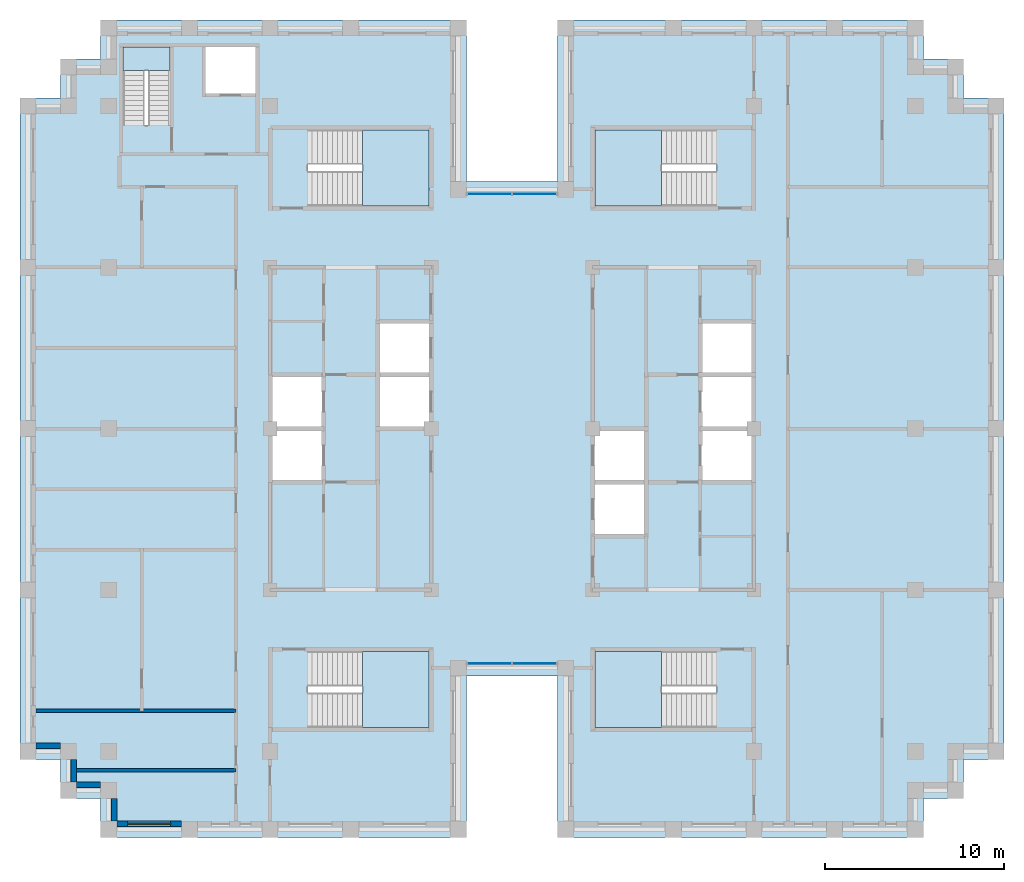
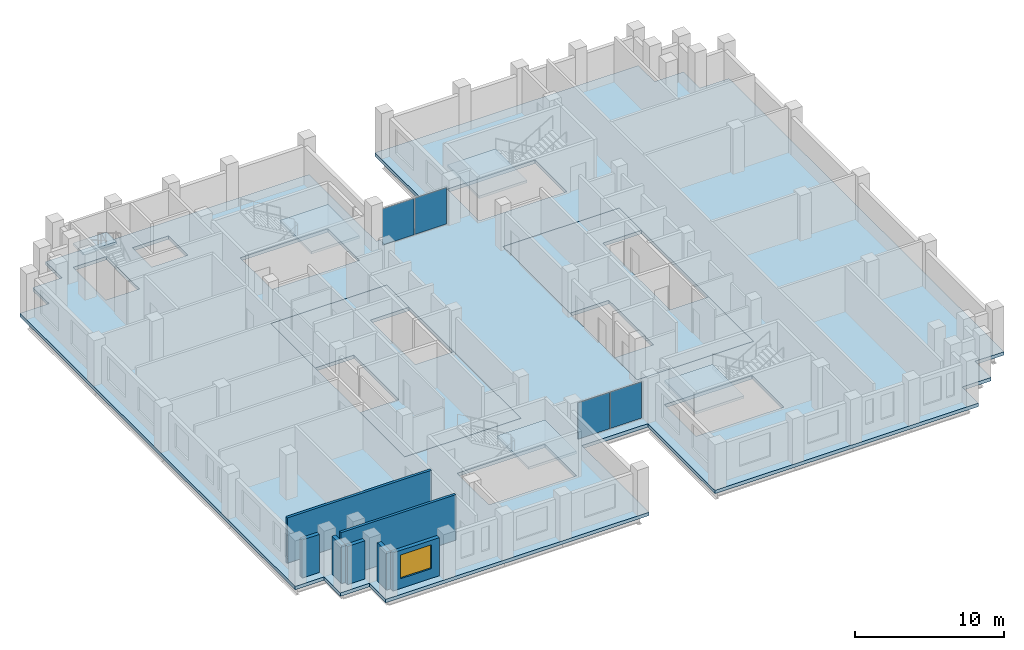
# One storey, part 5 of 13: 8 slabs, 7 walls, 4 plates, 1 window, 1 opening, 7 elements without a shape of their own.
"""IFC4 building model written with IfcOpenShell, lengths in metres."""

import ifcopenshell
import ifcopenshell.guid

model = None  # the IFC model being written
_history = None  # IfcOwnerHistory: only IFC2X3 demands one
_inside = {}  # id of a spatial element -> (the spatial element, [elements in it])
_under = {}  # id of a project, library or spatial element -> (it, [spatial elements below it])
_declared = {}  # id of a project -> (the project, [libraries it declares])
_typed = {}  # id of a type object -> (the type object, [elements of that type])
_made_of = {}  # id of a material, layer set ... -> (it, [elements and type objects made of it])


def new_model(schema):
    """Start an empty IFC model of exactly this schema.

    Asked for "IFC4X3", IfcOpenShell would pick the latest addendum, in which some entities
    have other attributes; the version numbers below select the first issue.
    IFC2X3 requires an IfcOwnerHistory on every rooted entity: one is made here for all.
    """
    global model, _history
    if schema == "IFC4X3":
        model = ifcopenshell.file(schema_version=(4, 3, 0, 0))
    else:
        model = ifcopenshell.file(schema=schema)
    _inside.clear()
    _under.clear()
    _declared.clear()
    _typed.clear()
    _made_of.clear()
    _history = None
    if model.schema == "IFC2X3":
        org = make("IfcOrganization", Name="unknown")
        user = make(
            "IfcPersonAndOrganization",
            ThePerson=make("IfcPerson", FamilyName="unknown"),
            TheOrganization=org,
        )
        app = make(
            "IfcApplication",
            ApplicationDeveloper=org,
            Version="unknown",
            ApplicationFullName="unknown",
            ApplicationIdentifier="unknown",
        )
        _history = make(
            "IfcOwnerHistory",
            OwningUser=user,
            OwningApplication=app,
            ChangeAction="ADDED",
            CreationDate=0,
        )
    return model


def make(cls, **values):
    """One entity of the class cls with the attributes given. An attribute that is None is left unset."""
    return model.create_entity(
        cls, **{name: value for name, value in values.items() if value is not None}
    )


def rooted(cls, **values):
    """An entity with a GlobalId (a new one), such as an element, a storey or a relation."""
    return make(cls, GlobalId=ifcopenshell.guid.new(), OwnerHistory=_history, **values)


def si_unit(unit_type, name, prefix=None):
    """IfcSIUnit, for example si_unit("LENGTHUNIT", "METRE", prefix="MILLI")."""
    return make("IfcSIUnit", UnitType=unit_type, Prefix=prefix, Name=name)


def assignment(units):
    """IfcUnitAssignment: the units of a project."""
    return None if units is None else make("IfcUnitAssignment", Units=units)


def point(xyz):
    """IfcCartesianPoint."""
    return None if xyz is None else make("IfcCartesianPoint", Coordinates=xyz)


def direction(xyz):
    """IfcDirection."""
    return None if xyz is None else make("IfcDirection", DirectionRatios=xyz)


def frame(location, z_axis=None, x_axis=None):
    """IfcAxis2Placement3D, a coordinate frame: its origin and axes. An axis left out is left unset."""
    return make(
        "IfcAxis2Placement3D",
        Location=point(location),
        Axis=direction(z_axis),
        RefDirection=direction(x_axis),
    )


def frame_2d(location, x_axis=None):
    """IfcAxis2Placement2D, a coordinate frame in the plane: its origin and x axis."""
    return make(
        "IfcAxis2Placement2D", Location=point(location), RefDirection=direction(x_axis)
    )


def origin():
    """The frame at (0, 0, 0) with its axes left unset."""
    return frame((0.0, 0.0, 0.0))


def origin_2d():
    """The frame at (0, 0) in the plane with its x axis left unset."""
    return frame_2d((0.0, 0.0))


def place(relative_to, where):
    """IfcLocalPlacement: puts the frame where relative to a parent placement (None: the world)."""
    return make(
        "IfcLocalPlacement", PlacementRelTo=relative_to, RelativePlacement=where
    )


def context(
    kind, dimensions, precision=None, world=None, true_north=None, identifier=None
):
    """IfcGeometricRepresentationContext, for example the 3D "Model" context."""
    return make(
        "IfcGeometricRepresentationContext",
        ContextIdentifier=identifier,
        ContextType=kind,
        CoordinateSpaceDimension=dimensions,
        Precision=precision,
        WorldCoordinateSystem=world,
        TrueNorth=true_north,
    )


def subcontext(parent, identifier, kind, view, scale=None):
    """IfcGeometricRepresentationSubContext, for example "Body" below "Model"."""
    return make(
        "IfcGeometricRepresentationSubContext",
        ContextIdentifier=identifier,
        ContextType=kind,
        ParentContext=parent,
        TargetScale=scale,
        TargetView=view,
    )


def project(units=None, contexts=None):
    """IfcProject with its units and contexts."""
    return rooted(
        "IfcProject",
        Name="project",
        RepresentationContexts=contexts,
        UnitsInContext=assignment(units),
    )


def spatial(cls, under=None, at=None, **own):
    """A site, building, storey or space (cls), placed at a placement, below another one or the project."""
    s = rooted(cls, ObjectPlacement=at, **own)
    if under is not None:
        _under.setdefault(under.id(), (under, []))[1].append(s)
    return s


def polyline(points):
    """IfcPolyline through the points."""
    return make("IfcPolyline", Points=[point(p) for p in points])


def profile(cls, at=None, kind="AREA", **sizes):
    """A parametric profile (cls). Its sizes go by their IFC names, for example OverallWidth=200.0."""
    return make(cls, ProfileType=kind, Position=at, **sizes)


def rectangle(**sizes):
    """IfcRectangleProfileDef."""
    return profile("IfcRectangleProfileDef", **sizes)


def outline(outer, holes=None, kind="AREA"):
    """IfcArbitraryClosedProfileDef: a profile drawn as a closed curve; with holes, ...WithVoids."""
    if holes is None:
        return make("IfcArbitraryClosedProfileDef", ProfileType=kind, OuterCurve=outer)
    return make(
        "IfcArbitraryProfileDefWithVoids",
        ProfileType=kind,
        OuterCurve=outer,
        InnerCurves=holes,
    )


def extrude(swept, where, along, depth):
    """IfcExtrudedAreaSolid: the profile swept, set in the frame where, extruded along a direction by depth."""
    return make(
        "IfcExtrudedAreaSolid",
        SweptArea=swept,
        Position=where,
        ExtrudedDirection=direction(along),
        Depth=depth,
    )


def shape(context_of_items, identifier, shape_type, items):
    """IfcShapeRepresentation: the items that make up one representation, for example the "Body"."""
    return make(
        "IfcShapeRepresentation",
        ContextOfItems=context_of_items,
        RepresentationIdentifier=identifier,
        RepresentationType=shape_type,
        Items=items,
    )


def material(Name=None, Category=None):
    """IfcMaterial."""
    return make("IfcMaterial", Name=Name, Category=Category)


def layer(
    of_material, thickness, ventilated=None, Name=None, Category=None, Priority=None
):
    """IfcMaterialLayer: one layer of a wall or slab, of a material (None: an air gap)."""
    return make(
        "IfcMaterialLayer",
        Material=of_material,
        LayerThickness=thickness,
        IsVentilated=ventilated,
        Name=Name,
        Category=Category,
        Priority=Priority,
    )


def layer_set(layers, Name=None):
    """IfcMaterialLayerSet."""
    return make("IfcMaterialLayerSet", MaterialLayers=layers, LayerSetName=Name)


def made_of(thing, what):
    """Note that an element or type object is made of a material, layer set ...; save() writes the relation."""
    if what is not None:
        _made_of.setdefault(what.id(), (what, []))[1].append(thing)
    return thing


def type_object(cls, material=None, **own):
    """A type object (cls), such as IfcWallType, which elements share."""
    return made_of(rooted(cls, **own), material)


def element(
    cls,
    number,
    at=None,
    inside=None,
    cuts=None,
    type_object=None,
    material=None,
    context=None,
    identifier="Body",
    shape_type=None,
    held_by="IfcProductDefinitionShape",
    body=None,
    shapes=None,
    **own,
):
    """One element of the class cls, such as IfcWall. Its Tag is "e" and its number.

    at: its placement. inside: the storey or other place that contains it. cuts: it is an
    opening in that element (IfcRelVoidsElement). A single representation is given by context,
    identifier, shape_type and body (its items); several are given by shapes. held_by: the class
    of the entity that holds the representations. save() writes the other relations.
    """
    e = rooted(cls, Tag="e%d" % number, ObjectPlacement=at, **own)
    if body is not None:
        shapes = [shape(context, identifier, shape_type, body)]
    if shapes is not None:
        e.Representation = make(held_by, Representations=shapes)
    if inside is not None:
        _inside.setdefault(inside.id(), (inside, []))[1].append(e)
    if cuts is not None:
        rooted(
            "IfcRelVoidsElement", RelatingBuildingElement=cuts, RelatedOpeningElement=e
        )
    if type_object is not None:
        _typed.setdefault(type_object.id(), (type_object, []))[1].append(e)
    return made_of(e, material)


def fill(opening, filler):
    """IfcRelFillsElement: the door or window that sits in an opening."""
    return rooted(
        "IfcRelFillsElement",
        RelatingOpeningElement=opening,
        RelatedBuildingElement=filler,
    )


def aggregate(whole, parts):
    """IfcRelAggregates: a whole, such as a stair, and the parts it consists of."""
    return rooted("IfcRelAggregates", RelatingObject=whole, RelatedObjects=parts)


def save(model, path):
    """Write the relations noted so far, then the file.

    IfcRelAggregates (storeys below a building ...), IfcRelContainedInSpatialStructure (elements
    in a storey), IfcRelDefinesByType, IfcRelAssociatesMaterial and IfcRelDeclares: one each for
    every whole, place, type object, material and project.
    """
    for whole, parts in _under.values():
        aggregate(whole, parts)
    for where, things in _inside.values():
        rooted(
            "IfcRelContainedInSpatialStructure",
            RelatedElements=things,
            RelatingStructure=where,
        )
    for kind, things in _typed.values():
        rooted("IfcRelDefinesByType", RelatedObjects=things, RelatingType=kind)
    for what, things in _made_of.values():
        rooted("IfcRelAssociatesMaterial", RelatedObjects=things, RelatingMaterial=what)
    for by, libraries in _declared.values():
        rooted("IfcRelDeclares", RelatingContext=by, RelatedDefinitions=libraries)
    model.write(path)


model = new_model("IFC4")

# Units and contexts
model_context = context("Model", 3, precision=1e-05, world=origin(), true_north=direction((0.0, 1.0)))
body_context = subcontext(model_context, "Body", "Model", "MODEL_VIEW")
ifc_project = project(units=[si_unit("LENGTHUNIT", "METRE"), si_unit("AREAUNIT", "SQUARE_METRE"), si_unit("VOLUMEUNIT", "CUBIC_METRE"), si_unit("PLANEANGLEUNIT", "RADIAN"), si_unit("MASSUNIT", "GRAM", prefix="KILO")], contexts=[model_context])

# Site, building, storey
site_placement = place(None, origin())
site = spatial("IfcSite", under=ifc_project, at=site_placement, CompositionType="ELEMENT")
building_placement = place(site_placement, origin())
building = spatial("IfcBuilding", under=site, at=building_placement, Name="Corbelhall Arena Tower", CompositionType="ELEMENT")
storey_placement = place(building_placement, frame((0.0, 0.0, 282.0)))
storey = spatial("IfcBuildingStorey", under=building, at=storey_placement, Name="L61", CompositionType="ELEMENT", Elevation=282.0)

# Curtain wall, plates
ifc_material_1 = material(Name="Aluminium black anodised", Category="aluminium")
ifc_layer_1 = layer(ifc_material_1, 0.199951171875)
ifc_layer_set_1 = layer_set([ifc_layer_1], Name="EV-CW1 Slot back wall")
curtain_wall_type = type_object("IfcCurtainWallType", Name="EV-CW1 Slot back wall", PredefinedType="NOTDEFINED", material=ifc_layer_set_1)
curtain_wall_1_placement = place(storey_placement, origin())
curtain_wall_1 = element("IfcCurtainWall", 1, at=curtain_wall_1_placement, inside=storey, type_object=curtain_wall_type, Name="Curtain wall CW1", PredefinedType="NOTDEFINED")
ifc_material_2 = material(Name="Glass dark tinted laminated", Category="glass")
ifc_layer_2 = layer(ifc_material_2, 0.028076171875)
ifc_layer_set_2 = layer_set([ifc_layer_2], Name="EV-CW1-PANEL")
plate_type = type_object("IfcPlateType", Name="EV-CW1-PANEL", PredefinedType="CURTAIN_PANEL", material=ifc_layer_set_2)
plate_1_placement = place(storey_placement, frame((-1.25634765625, -13.10009765625, 0.0751953125), z_axis=(0.0, 0.0, 1.0), x_axis=(1.0, 0.0, 0.0)))
plate_1 = element("IfcPlate", 2, at=plate_1_placement, type_object=plate_type, Name="CW1 panel 1.1", PredefinedType="CURTAIN_PANEL", context=body_context, shape_type="SweptSolid", body=[
    extrude(rectangle(XDim=2.4375, YDim=0.028076171875, at=origin_2d()), origin(), (0.0, 0.0, 1.0), 2.969970703125),
])
plate_2_placement = place(storey_placement, frame((1.25634765625, -13.10009765625, 0.0751953125), z_axis=(0.0, 0.0, 1.0), x_axis=(1.0, 0.0, 0.0)))
plate_2 = element("IfcPlate", 3, at=plate_2_placement, type_object=plate_type, Name="CW1 panel 2.1", PredefinedType="CURTAIN_PANEL", context=body_context, shape_type="SweptSolid", body=[
    extrude(rectangle(XDim=2.4375, YDim=0.028076171875, at=origin_2d()), origin(), (0.0, 0.0, 1.0), 2.969970703125),
])
aggregate(curtain_wall_1, [plate_1, plate_2])

curtain_wall_2_placement = place(storey_placement, origin())
curtain_wall_2 = element("IfcCurtainWall", 4, at=curtain_wall_2_placement, inside=storey, type_object=curtain_wall_type, Name="Curtain wall CW1", PredefinedType="NOTDEFINED")
plate_3_placement = place(storey_placement, frame((1.25634765625, 13.10009765625, 0.0751953125), z_axis=(0.0, 0.0, 1.0), x_axis=(-1.0, 0.0, 0.0)))
plate_3 = element("IfcPlate", 5, at=plate_3_placement, type_object=plate_type, Name="CW1 panel 1.1", PredefinedType="CURTAIN_PANEL", context=body_context, shape_type="SweptSolid", body=[
    extrude(rectangle(XDim=2.4375, YDim=0.028076171875, at=origin_2d()), origin(), (0.0, 0.0, 1.0), 2.969970703125),
])
plate_4_placement = place(storey_placement, frame((-1.25634765625, 13.10009765625, 0.0751953125), z_axis=(0.0, 0.0, 1.0), x_axis=(-1.0, 0.0, 0.0)))
plate_4 = element("IfcPlate", 6, at=plate_4_placement, type_object=plate_type, Name="CW1 panel 2.1", PredefinedType="CURTAIN_PANEL", context=body_context, shape_type="SweptSolid", body=[
    extrude(rectangle(XDim=2.4375, YDim=0.028076171875, at=origin_2d()), origin(), (0.0, 0.0, 1.0), 2.969970703125),
])
aggregate(curtain_wall_2, [plate_3, plate_4])

# Slabs
ifc_material_3 = material(Name="Concrete C40/50", Category="concrete")
ifc_layer_3 = layer(ifc_material_3, 0.300048828125)
ifc_layer_set_3 = layer_set([ifc_layer_3], Name="IN-SL-CORE")
slab_type_1 = type_object("IfcSlabType", Name="IN-SL-CORE", PredefinedType="FLOOR", material=ifc_layer_set_3)
slab_1_placement = place(storey_placement, frame((0.0, 0.0, -0.280029296875)))
element("IfcSlab", 7, at=slab_1_placement, inside=storey, type_object=slab_type_1, Name="Core floor W", PredefinedType="FLOOR", context=body_context, shape_type="SweptSolid", body=[
    extrude(outline(polyline([(-10.5, -3.0), (-13.5, -3.0), (-13.5, -9.0), (-4.5, -9.0), (-4.5, 0.0), (-7.5, 0.0), (-7.5, 3.0), (-7.5, 6.0), (-4.5, 6.0), (-4.5, 9.0), (-13.5, 9.0), (-13.5, 3.0), (-10.5, 3.0), (-10.5, 0.0), (-10.5, -3.0)])), origin(), (0.0, 0.0, 1.0), 0.280029296875),
])
slab_2_placement = place(storey_placement, frame((0.0, 0.0, -0.280029296875)))
element("IfcSlab", 8, at=slab_2_placement, inside=storey, type_object=slab_type_1, Name="Core floor E", PredefinedType="FLOOR", context=body_context, shape_type="SweptSolid", body=[
    extrude(outline(polyline([(13.5, -3.0), (10.5, -3.0), (10.5, 0.0), (10.5, 3.0), (10.5, 6.0), (13.5, 6.0), (13.5, 9.0), (4.5, 9.0), (4.5, 0.0), (7.5, 0.0), (7.5, -3.0), (7.5, -6.0), (4.5, -6.0), (4.5, -9.0), (13.5, -9.0), (13.5, -3.0)])), origin(), (0.0, 0.0, 1.0), 0.280029296875),
])

# Stair, slab
stair_type = type_object("IfcStairType", Name="IN-ST-TOWER", PredefinedType="HALF_TURN_STAIR", material=ifc_material_3)
stair_1_placement = place(storey_placement, origin())
stair_1 = element("IfcStair", 9, at=stair_1_placement, inside=storey, type_object=stair_type, Name="L61 Exit stair ST1", PredefinedType="HALF_TURN_STAIR")
ifc_layer_4 = layer(ifc_material_3, 0.199951171875)
ifc_layer_set_4 = layer_set([ifc_layer_4], Name="IN-SL-LANDING")
slab_type_2 = type_object("IfcSlabType", Name="IN-SL-LANDING", PredefinedType="LANDING", material=ifc_layer_set_4)
slab_3_placement = place(storey_placement, frame((0.0, 0.0, 1.800048828125)))
slab_3 = element("IfcSlab", 10, at=slab_3_placement, type_object=slab_type_2, Name="ST1 landing 1", PredefinedType="LANDING", context=body_context, shape_type="SweptSolid", body=[
    extrude(outline(polyline([(-8.344970703125, 12.425048828125), (-4.625, 12.425048828125), (-4.625, 16.675048828125), (-8.344970703125, 16.675048828125), (-8.344970703125, 12.425048828125)])), origin(), (0.0, 0.0, 1.0), 0.199951171875),
])
aggregate(stair_1, [slab_3])

stair_2_placement = place(storey_placement, origin())
stair_2 = element("IfcStair", 11, at=stair_2_placement, inside=storey, type_object=stair_type, Name="L61 Exit stair ST2", PredefinedType="HALF_TURN_STAIR")
slab_4_placement = place(storey_placement, frame((0.0, 0.0, 1.800048828125)))
slab_4 = element("IfcSlab", 12, at=slab_4_placement, type_object=slab_type_2, Name="ST2 landing 1", PredefinedType="LANDING", context=body_context, shape_type="SweptSolid", body=[
    extrude(outline(polyline([(-8.344970703125, -16.675048828125), (-4.625, -16.675048828125), (-4.625, -12.425048828125), (-8.344970703125, -12.425048828125), (-8.344970703125, -16.675048828125)])), origin(), (0.0, 0.0, 1.0), 0.199951171875),
])
aggregate(stair_2, [slab_4])

stair_3_placement = place(storey_placement, origin())
stair_3 = element("IfcStair", 13, at=stair_3_placement, inside=storey, type_object=stair_type, Name="L61 Exit stair ST3", PredefinedType="HALF_TURN_STAIR")
slab_5_placement = place(storey_placement, frame((0.0, 0.0, 1.800048828125)))
slab_5 = element("IfcSlab", 14, at=slab_5_placement, type_object=slab_type_2, Name="ST3 landing 1", PredefinedType="LANDING", context=body_context, shape_type="SweptSolid", body=[
    extrude(outline(polyline([(8.344970703125, 16.675048828125), (4.625, 16.675048828125), (4.625, 12.425048828125), (8.344970703125, 12.425048828125), (8.344970703125, 16.675048828125)])), origin(), (0.0, 0.0, 1.0), 0.199951171875),
])
aggregate(stair_3, [slab_5])

stair_4_placement = place(storey_placement, origin())
stair_4 = element("IfcStair", 15, at=stair_4_placement, inside=storey, type_object=stair_type, Name="L61 Exit stair ST4", PredefinedType="HALF_TURN_STAIR")
slab_6_placement = place(storey_placement, frame((0.0, 0.0, 1.800048828125)))
slab_6 = element("IfcSlab", 16, at=slab_6_placement, type_object=slab_type_2, Name="ST4 landing 1", PredefinedType="LANDING", context=body_context, shape_type="SweptSolid", body=[
    extrude(outline(polyline([(8.344970703125, -12.425048828125), (4.625, -12.425048828125), (4.625, -16.675048828125), (8.344970703125, -16.675048828125), (8.344970703125, -12.425048828125)])), origin(), (0.0, 0.0, 1.0), 0.199951171875),
])
aggregate(stair_4, [slab_6])

stair_5_placement = place(storey_placement, origin())
stair_5 = element("IfcStair", 17, at=stair_5_placement, inside=storey, type_object=stair_type, Name="L61 Exit stair ST5", PredefinedType="HALF_TURN_STAIR")
slab_7_placement = place(storey_placement, frame((0.0, 0.0, 1.800048828125)))
slab_7 = element("IfcSlab", 18, at=slab_7_placement, type_object=slab_type_2, Name="ST5 landing 1", PredefinedType="LANDING", context=body_context, shape_type="SweptSolid", body=[
    extrude(outline(polyline([(-19.094970703125, 19.97998046875), (-19.094970703125, 21.300048828125), (-21.695068359375, 21.300048828125), (-21.695068359375, 19.97998046875), (-19.094970703125, 19.97998046875)])), origin(), (0.0, 0.0, 1.0), 0.199951171875),
])
aggregate(stair_5, [slab_7])

# Slab
ifc_layer_5 = layer(ifc_material_3, 0.280029296875)
ifc_layer_set_5 = layer_set([ifc_layer_5], Name="ST-SLAB-FLOOR-280")
slab_type_3 = type_object("IfcSlabType", Name="ST-SLAB-FLOOR-280", PredefinedType="FLOOR", material=ifc_layer_set_5)
slab_8_placement = place(storey_placement, frame((0.0, 0.0, -0.280029296875)))
element("IfcSlab", 19, at=slab_8_placement, inside=storey, type_object=slab_type_3, Name="Floor slab L61 1", PredefinedType="FLOOR", context=body_context, shape_type="SweptSolid", body=[
    extrude(outline(polyline([(22.949951171875, 22.800048828125), (2.550048828125, 22.800048828125), (2.550048828125, 13.800048828125), (-2.550048828125, 13.800048828125), (-2.550048828125, 22.800048828125), (-22.949951171875, 22.800048828125), (-22.949951171875, 20.625), (-25.199951171875, 20.625), (-25.199951171875, 18.449951171875), (-27.449951171875, 18.449951171875), (-27.449951171875, -18.449951171875), (-25.199951171875, -18.449951171875), (-25.199951171875, -20.625), (-22.949951171875, -20.625), (-22.949951171875, -22.800048828125), (-2.550048828125, -22.800048828125), (-2.550048828125, -13.800048828125), (2.550048828125, -13.800048828125), (2.550048828125, -22.800048828125), (22.949951171875, -22.800048828125), (22.949951171875, -20.625), (25.199951171875, -20.625), (25.199951171875, -18.449951171875), (27.449951171875, -18.449951171875), (27.449951171875, 18.449951171875), (25.199951171875, 18.449951171875), (25.199951171875, 20.625), (22.949951171875, 20.625), (22.949951171875, 22.800048828125)]), holes=[polyline([(-13.5, 9.0), (-13.5, -9.0), (-4.5, -9.0), (-4.5, 9.0), (-13.5, 9.0)]), polyline([(4.5, 9.0), (4.5, -9.0), (13.5, -9.0), (13.5, 9.0), (4.5, 9.0)]), polyline([(-4.625, 16.675048828125), (-11.422119140625, 16.675048828125), (-11.422119140625, 12.425048828125), (-4.625, 12.425048828125), (-4.625, 16.675048828125)]), polyline([(-4.625, -16.675048828125), (-4.625, -12.425048828125), (-11.422119140625, -12.425048828125), (-11.422119140625, -16.675048828125), (-4.625, -16.675048828125)]), polyline([(11.422119140625, 16.675048828125), (4.625, 16.675048828125), (4.625, 12.425048828125), (11.422119140625, 12.425048828125), (11.422119140625, 16.675048828125)]), polyline([(11.422119140625, -16.675048828125), (11.422119140625, -12.425048828125), (4.625, -12.425048828125), (4.625, -16.675048828125), (11.422119140625, -16.675048828125)]), polyline([(-21.695068359375, 21.300048828125), (-21.695068359375, 16.903076171875), (-19.094970703125, 16.903076171875), (-19.094970703125, 21.300048828125), (-21.695068359375, 21.300048828125)]), polyline([(-14.300048828125, 21.300048828125), (-17.10009765625, 21.300048828125), (-17.10009765625, 18.699951171875), (-14.300048828125, 18.699951171875), (-14.300048828125, 21.300048828125)])]), origin(), (0.0, 0.0, 1.0), 0.280029296875),
])

# Walls
ifc_material_4 = material(Name="Precast concrete C40/50 with granite facing", Category="masonry")
ifc_layer_6 = layer(ifc_material_4, 0.300048828125)
ifc_layer_set_6 = layer_set([ifc_layer_6], Name="EV-IW1 Infill panel 300")
wall_type_1 = type_object("IfcWallType", Name="EV-IW1 Infill panel 300", PredefinedType="SOLIDWALL", material=ifc_layer_set_6)
wall_1_placement = place(storey_placement, frame((-26.550048828125, -17.699951171875, 0.0), z_axis=(0.0, 0.0, 1.0), x_axis=(1.0, 0.0, 0.0)))
element("IfcWall", 20, at=wall_1_placement, inside=storey, type_object=wall_type_1, Name="Infill panel IW1", PredefinedType="SOLIDWALL", context=body_context, shape_type="SweptSolid", body=[
    extrude(rectangle(XDim=1.35009765625, YDim=0.300048828125, at=frame_2d((0.675048828125, 0.0))), origin(), (0.0, 0.0, 1.0), 3.1201171875),
])
wall_2_placement = place(storey_placement, frame((-24.449951171875, -18.449951171875, 0.0), z_axis=(0.0, 0.0, 1.0), x_axis=(0.0, -1.0, 0.0)))
element("IfcWall", 21, at=wall_2_placement, inside=storey, type_object=wall_type_1, Name="Infill panel IW1", PredefinedType="SOLIDWALL", context=body_context, shape_type="SweptSolid", body=[
    extrude(rectangle(XDim=1.275146484375, YDim=0.300048828125, at=frame_2d((0.6376953125, 0.0))), origin(), (0.0, 0.0, 1.0), 3.1201171875),
])
wall_3_placement = place(storey_placement, frame((-24.300048828125, -19.875, 0.0), z_axis=(0.0, 0.0, 1.0), x_axis=(1.0, 0.0, 0.0)))
element("IfcWall", 22, at=wall_3_placement, inside=storey, type_object=wall_type_1, Name="Infill panel IW1", PredefinedType="SOLIDWALL", context=body_context, shape_type="SweptSolid", body=[
    extrude(rectangle(XDim=1.35009765625, YDim=0.300048828125, at=frame_2d((0.675048828125, 0.0))), origin(), (0.0, 0.0, 1.0), 3.1201171875),
])
wall_4_placement = place(storey_placement, frame((-22.199951171875, -20.625, 0.0), z_axis=(0.0, 0.0, 1.0), x_axis=(0.0, -1.0, 0.0)))
element("IfcWall", 23, at=wall_4_placement, inside=storey, type_object=wall_type_1, Name="Infill panel IW1", PredefinedType="SOLIDWALL", context=body_context, shape_type="SweptSolid", body=[
    extrude(rectangle(XDim=1.27490234375, YDim=0.300048828125, at=frame_2d((0.637451171875, 0.0))), origin(), (0.0, 0.0, 1.0), 3.1201171875),
])

# Wall, opening, window
wall_5_placement = place(storey_placement, frame((-22.050048828125, -22.050048828125, 0.0), z_axis=(0.0, 0.0, 1.0), x_axis=(1.0, 0.0, 0.0)))
wall_5 = element("IfcWall", 24, at=wall_5_placement, inside=storey, type_object=wall_type_1, Name="Infill panel IW1", PredefinedType="SOLIDWALL", context=body_context, shape_type="SweptSolid", body=[
    extrude(rectangle(XDim=3.60009765625, YDim=0.300048828125, at=frame_2d((1.800048828125, 0.0))), origin(), (0.0, 0.0, 1.0), 3.1201171875),
])
opening_placement = place(wall_5_placement, frame((0.60009765625, 0.0, 0.800048828125)))
opening = element("IfcOpeningElement", 25, at=opening_placement, cuts=wall_5, Name="Opening WN1", PredefinedType="OPENING", context=body_context, shape_type="SweptSolid", body=[
    extrude(rectangle(XDim=2.39990234375, YDim=1.949951171875, at=frame_2d((1.199951171875, 0.97509765625))), frame((0.0, 0.14990234375, 0.0), z_axis=(0.0, -1.0, 0.0), x_axis=(1.0, 0.0, 0.0)), (0.0, 0.0, 1.0), 0.300048828125),
])
window_type = type_object("IfcWindowType", Name="EV-WN1 Office window", PartitioningType="SINGLE_PANEL", PredefinedType="WINDOW", material=ifc_material_1)
window_placement = place(opening_placement, origin())
window = element("IfcWindow", 26, at=window_placement, inside=storey, type_object=window_type, Name="Window WN1", OverallHeight=1.949951171875, OverallWidth=2.39990234375, PartitioningType="SINGLE_PANEL", PredefinedType="WINDOW", context=body_context, shape_type="SweptSolid", body=[
    extrude(rectangle(XDim=2.39990234375, YDim=1.949951171875, at=frame_2d((1.199951171875, 0.97509765625))), frame((0.0, 0.030029296875, 0.0), z_axis=(0.0, -1.0, 0.0), x_axis=(1.0, 0.0, 0.0)), (0.0, 0.0, 1.0), 0.06005859375),
])
fill(opening, window)

# Walls
ifc_material_5 = material(Name="Gypsum board on steel stud, acoustic", Category="steel")
ifc_layer_7 = layer(ifc_material_5, 0.199951171875)
ifc_layer_set_7 = layer_set([ifc_layer_7], Name="IN-W-DM200")
wall_type_2 = type_object("IfcWallType", Name="IN-W-DM200", PredefinedType="PARTITIONING", material=ifc_layer_set_7)
wall_6_placement = place(storey_placement, frame((-26.550048828125, -15.75, 0.0), z_axis=(0.0, 0.0, 1.0), x_axis=(1.0, 0.0, 0.0)))
element("IfcWall", 27, at=wall_6_placement, inside=storey, type_object=wall_type_2, Name="Partition 001", PredefinedType="PARTITIONING", context=body_context, shape_type="SweptSolid", body=[
    extrude(rectangle(XDim=11.150146484375, YDim=0.199951171875, at=frame_2d((5.5751953125, 0.0))), origin(), (0.0, 0.0, 1.0), 3.719970703125),
])
wall_7_placement = place(storey_placement, frame((-24.300048828125, -19.050048828125, 0.0), z_axis=(0.0, 0.0, 1.0), x_axis=(1.0, 0.0, 0.0)))
element("IfcWall", 28, at=wall_7_placement, inside=storey, type_object=wall_type_2, Name="Partition 006", PredefinedType="PARTITIONING", context=body_context, shape_type="SweptSolid", body=[
    extrude(rectangle(XDim=8.900146484375, YDim=0.199951171875, at=frame_2d((4.4501953125, 0.0))), origin(), (0.0, 0.0, 1.0), 3.719970703125),
])

save(model, "model.ifc")
